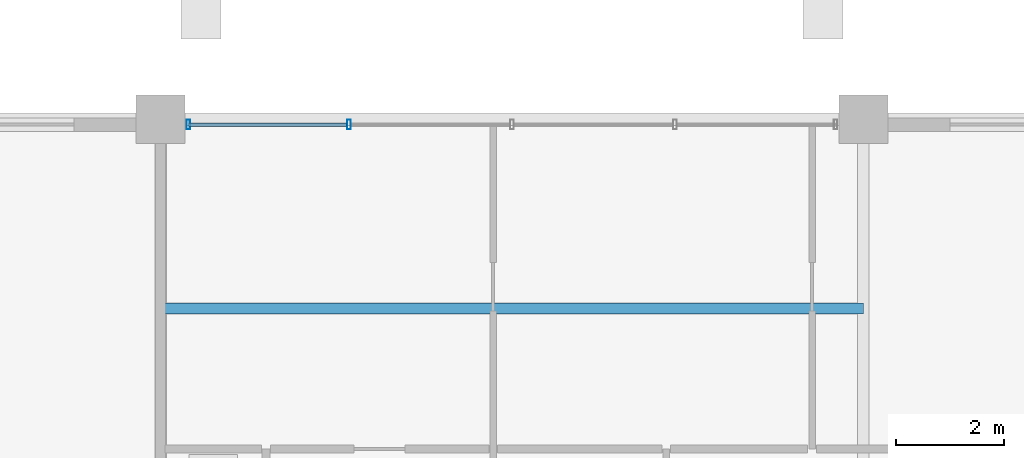
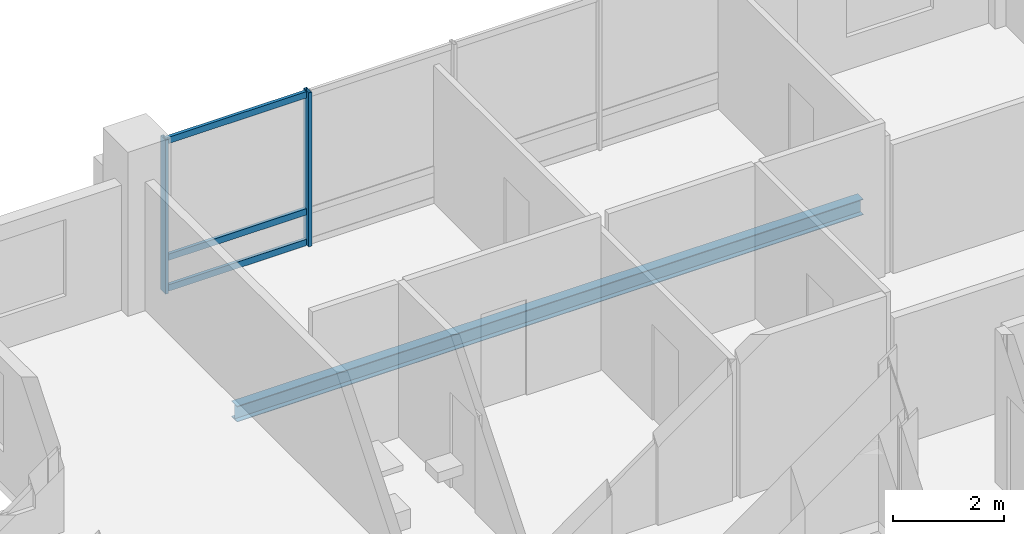
# One storey, part 12 of 21: 5 members, 1 beam, 1 element without a shape of its own.
"""IFC4 building model written with IfcOpenShell, lengths in metres."""

from ifc_helpers import new_model, si_unit, direction, frame, origin, origin_2d, place, context, subcontext, project, spatial, hollow_rectangle, i_section, extrude, material, layer, layer_set, material_profile, profile_set, type_object, element, aggregate, save


model = new_model("IFC4")

# Units and contexts
model_context = context("Model", 3, precision=1e-05, world=origin(), true_north=direction((0.0, 1.0)))
body_context = subcontext(model_context, "Body", "Model", "MODEL_VIEW")
ifc_project = project(units=[si_unit("LENGTHUNIT", "METRE"), si_unit("AREAUNIT", "SQUARE_METRE"), si_unit("VOLUMEUNIT", "CUBIC_METRE"), si_unit("PLANEANGLEUNIT", "RADIAN"), si_unit("MASSUNIT", "GRAM", prefix="KILO")], contexts=[model_context])

# Site, building, storey
site_placement = place(None, origin())
site = spatial("IfcSite", under=ifc_project, at=site_placement, CompositionType="ELEMENT")
building_placement = place(site_placement, origin())
building = spatial("IfcBuilding", under=site, at=building_placement, Name="Barlavira Tower and Art Museum", CompositionType="ELEMENT")
storey_placement = place(building_placement, frame((0.0, 0.0, 222.300048828125)))
storey = spatial("IfcBuildingStorey", under=building, at=storey_placement, Name="L57", CompositionType="ELEMENT", Elevation=222.300048828125)

# Curtain wall, members
ifc_material_1 = material(Name="Low-iron coastal laminated glass", Category="glass")
ifc_layer = layer(ifc_material_1, 0.2099609375, Name="Low-iron coastal laminated glass")
ifc_layer_set = layer_set([ifc_layer], Name="Low-iron coastal laminated glass")
curtain_wall_type = type_object("IfcCurtainWallType", Name="Pale-Metal Unitised Curtain Wall Zone 4", PredefinedType="NOTDEFINED", material=ifc_layer_set)
curtain_wall_placement = place(storey_placement, origin())
curtain_wall = element("IfcCurtainWall", 1, at=curtain_wall_placement, inside=storey, type_object=curtain_wall_type, Name="L57 Curtain Wall CW4-L57-N-B2", PredefinedType="NOTDEFINED")
ifc_material_2 = material(Name="Pale anodised aluminium", Category="aluminium")
ifc_material_profile_1 = material_profile(ifc_material_2, hollow_rectangle(XDim=0.06494140625, YDim=0.179931640625, WallThickness=0.00390625, at=origin_2d()), Name="ALU-MULL 65x180x4")
ifc_profile_set_1 = profile_set([ifc_material_profile_1], Name="Pale anodised aluminium")
member_type_1 = type_object("IfcMemberType", Name="Curtain Wall Pale-Metal Mullion 65x180", PredefinedType="MULLION", material=ifc_profile_set_1)
member_1_placement = place(storey_placement, frame((-3.014892578125, 19.89990234375, 0.0), z_axis=(0.0, 0.0, 1.0), x_axis=(-1.0, 0.0, 0.0)))
member_1 = element("IfcMember", 2, at=member_1_placement, type_object=member_type_1, Name="CW4-L57-N-B2 Mullion 3", PredefinedType="MULLION", context=body_context, shape_type="SweptSolid", body=[
    extrude(hollow_rectangle(XDim=0.06494140625, YDim=0.179931640625, WallThickness=0.00390625, at=origin_2d()), origin(), (0.0, 0.0, 1.0), 3.3798828125),
])
member_2_placement = place(storey_placement, frame((-5.985107421875, 19.89990234375, 0.0), z_axis=(0.0, 0.0, 1.0), x_axis=(-1.0, 0.0, 0.0)))
member_2 = element("IfcMember", 3, at=member_2_placement, type_object=member_type_1, Name="CW4-L57-N-B2 Mullion 4", PredefinedType="MULLION", context=body_context, shape_type="SweptSolid", body=[
    extrude(hollow_rectangle(XDim=0.06494140625, YDim=0.179931640625, WallThickness=0.00390625, at=origin_2d()), origin(), (0.0, 0.0, 1.0), 3.3798828125),
])
ifc_material_profile_2 = material_profile(ifc_material_2, hollow_rectangle(XDim=0.06494140625, YDim=0.139892578125, WallThickness=0.00390625, at=origin_2d()), Name="ALU-TRAN 65x140x4")
ifc_profile_set_2 = profile_set([ifc_material_profile_2], Name="Pale anodised aluminium")
member_type_2 = type_object("IfcMemberType", Name="Curtain Wall Pale-Metal Transom 65x140", PredefinedType="USERDEFINED", material=ifc_profile_set_2)
member_3_placement = place(storey_placement, frame((-3.06005859375, 19.89990234375, 0.070068359375), z_axis=(-1.0, 0.0, 0.0), x_axis=(0.0, -1.0, 0.0)))
member_3 = element("IfcMember", 4, at=member_3_placement, type_object=member_type_2, Name="CW4-L57-N-B2 Transom 3.1", ObjectType="TRANSOM", PredefinedType="USERDEFINED", context=body_context, shape_type="SweptSolid", body=[
    extrude(hollow_rectangle(XDim=0.06494140625, YDim=0.139892578125, WallThickness=0.00390625, at=origin_2d()), origin(), (0.0, 0.0, 1.0), 2.925048828125),
])
member_4_placement = place(storey_placement, frame((-3.06005859375, 19.89990234375, 0.743896484375), z_axis=(-1.0, 0.0, 0.0), x_axis=(0.0, -1.0, 0.0)))
member_4 = element("IfcMember", 5, at=member_4_placement, type_object=member_type_2, Name="CW4-L57-N-B2 Transom 3.2", ObjectType="TRANSOM", PredefinedType="USERDEFINED", context=body_context, shape_type="SweptSolid", body=[
    extrude(hollow_rectangle(XDim=0.06494140625, YDim=0.139892578125, WallThickness=0.00390625, at=origin_2d()), origin(), (0.0, 0.0, 1.0), 2.925048828125),
])
member_5_placement = place(storey_placement, frame((-3.06005859375, 19.89990234375, 3.31005859375), z_axis=(-1.0, 0.0, 0.0), x_axis=(0.0, -1.0, 0.0)))
member_5 = element("IfcMember", 6, at=member_5_placement, type_object=member_type_2, Name="CW4-L57-N-B2 Transom 3.3", ObjectType="TRANSOM", PredefinedType="USERDEFINED", context=body_context, shape_type="SweptSolid", body=[
    extrude(hollow_rectangle(XDim=0.06494140625, YDim=0.139892578125, WallThickness=0.00390625, at=origin_2d()), origin(), (0.0, 0.0, 1.0), 2.925048828125),
])
aggregate(curtain_wall, [member_1, member_2, member_3, member_4, member_5])

# Beam
ifc_material_3 = material(Name="Steel S355", Category="steel")
ifc_material_profile_3 = material_profile(ifc_material_3, i_section(OverallWidth=0.202880859375, OverallDepth=0.346923828125, WebThickness=0.0078125, FlangeThickness=0.013427734375, at=origin_2d()), Name="W360x64.0")
ifc_profile_set_3 = profile_set([ifc_material_profile_3], Name="Steel S355")
beam_type = type_object("IfcBeamType", Name="Zone 4 Composite Floor Joist W360x64 Steel S355", PredefinedType="JOIST", material=ifc_profile_set_3)
beam_placement = place(storey_placement, frame((-6.5, 16.5, -0.3935546875), z_axis=(1.0, 0.0, 0.0), x_axis=(0.0, 1.0, 0.0)))
element("IfcBeam", 7, at=beam_placement, inside=storey, type_object=beam_type, Name="L57 Joist C2", PredefinedType="JOIST", context=body_context, shape_type="SweptSolid", body=[
    extrude(i_section(OverallWidth=0.202880859375, OverallDepth=0.346923828125, WebThickness=0.0078125, FlangeThickness=0.013427734375, at=origin_2d()), origin(), (0.0, 0.0, 1.0), 13.0),
])

save(model, "model.ifc")
